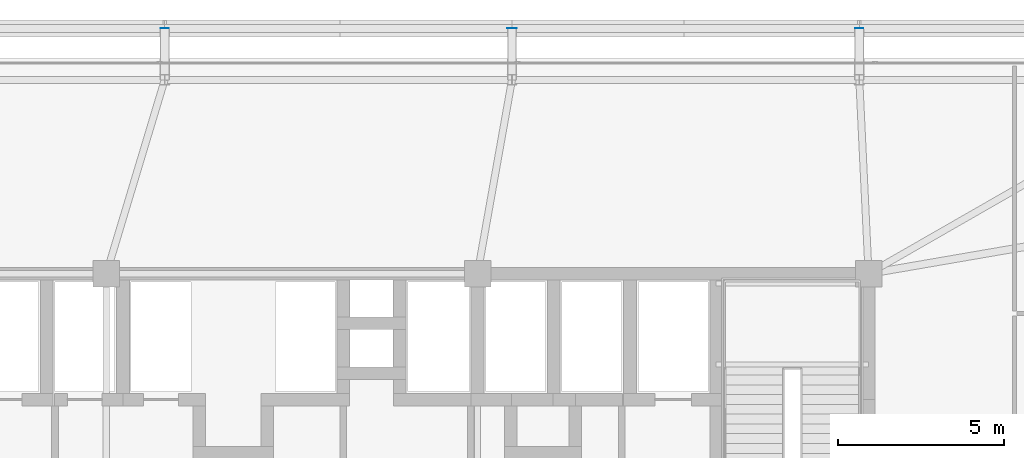
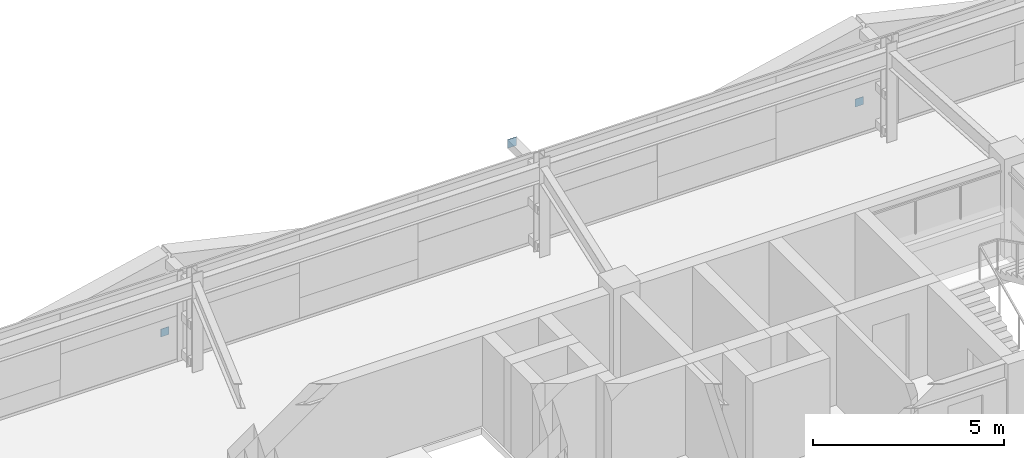
# One storey, part 37 of 45: 3 plates.
"""IFC4 building model written with IfcOpenShell, lengths in metres."""

from ifc_helpers import new_model, si_unit, direction, frame, origin, origin_2d, place, context, subcontext, project, spatial, rectangle, extrude, source, transform, mapped, material, layer, layer_set, type_object, element, save


model = new_model("IFC4")

# Units and contexts
model_context = context("Model", 3, precision=1e-05, world=origin(), true_north=direction((0.0, 1.0)))
body_context = subcontext(model_context, "Body", "Model", "MODEL_VIEW")
ifc_project = project(units=[si_unit("LENGTHUNIT", "METRE"), si_unit("AREAUNIT", "SQUARE_METRE"), si_unit("VOLUMEUNIT", "CUBIC_METRE"), si_unit("PLANEANGLEUNIT", "RADIAN"), si_unit("MASSUNIT", "GRAM", prefix="KILO")], contexts=[model_context])

# Site, building, storey
site_placement = place(None, origin())
site = spatial("IfcSite", under=ifc_project, at=site_placement, CompositionType="ELEMENT")
building_placement = place(site_placement, origin())
building = spatial("IfcBuilding", under=site, at=building_placement, Name="Taldren Reach Tower", CompositionType="ELEMENT")
storey_placement = place(building_placement, frame((0.0, 0.0, 57.75)))
storey = spatial("IfcBuildingStorey", under=building, at=storey_placement, Name="L17", CompositionType="ELEMENT", Elevation=57.75)

# Plates
ifc_material_1 = material(Name="Steel Gr 450 (C450L0)", Category="steel")
ifc_layer_1 = layer(ifc_material_1, 0.011962890625)
ifc_layer_set_1 = layer_set([ifc_layer_1], Name="Steel Gr 450 (C450L0)")
plate_type_1 = type_object("IfcPlateType", Name="PL-CAP-275", PredefinedType="SHEET", material=ifc_layer_set_1)
shared_shape_1 = source(origin(), body_context, "Body", "SweptSolid", [
    extrude(rectangle(XDim=0.27490234375, YDim=0.011962890625, at=origin_2d()), origin(), (0.0, 0.0, 1.0), 0.27490234375),
])
plate_placement = place(storey_placement, frame((40.239990234375, 39.406005859375, 2.45263671875), z_axis=(0.0, 0.0, 1.0), x_axis=(1.0, 0.0, 0.0)))
element("IfcPlate", 1, at=plate_placement, inside=storey, type_object=plate_type_1, Name="Tie strut end cap plate B1-N4 L17", PredefinedType="SHEET", context=body_context, shape_type="MappedRepresentation", body=[
    mapped(shared_shape_1, transform((0.0, 0.0, 0.0), scale=1.0)),
])
ifc_material_2 = material(Name="Steel Gr 350 (C350L0)", Category="steel")
ifc_layer_2 = layer(ifc_material_2, 0.011962890625)
ifc_layer_set_2 = layer_set([ifc_layer_2], Name="Steel Gr 350 (C350L0)")
plate_type_2 = type_object("IfcPlateType", Name="PL-CAP-250", PredefinedType="SHEET", material=ifc_layer_set_2)
shared_shape_2 = source(origin(), body_context, "Body", "SweptSolid", [
    extrude(rectangle(XDim=0.25, YDim=0.011962890625, at=origin_2d()), origin(), (0.0, 0.0, 1.0), 0.25),
])
for number, where, z_axis, x_axis, name in (
    (2, (29.760009765625, 39.406005859375, 0.094970703125), (0.0, 0.0, 1.0), (1.0, 0.0, 0.0), "Tie strut end cap plate B1-N3 L17"),
    (3, (50.719970703125, 39.406005859375, 0.094970703125), (0.0, 0.0, 1.0), (1.0, 0.0, 0.0), "Tie strut end cap plate B1-N5 L17"),
):
    element("IfcPlate", number, at=place(storey_placement, frame(where, z_axis=z_axis, x_axis=x_axis)), inside=storey, type_object=plate_type_2, Name=name, PredefinedType="SHEET", context=body_context, shape_type="MappedRepresentation", body=[
        mapped(shared_shape_2, transform((0.0, 0.0, 0.0), scale=1.0)),
    ])

save(model, "model.ifc")
